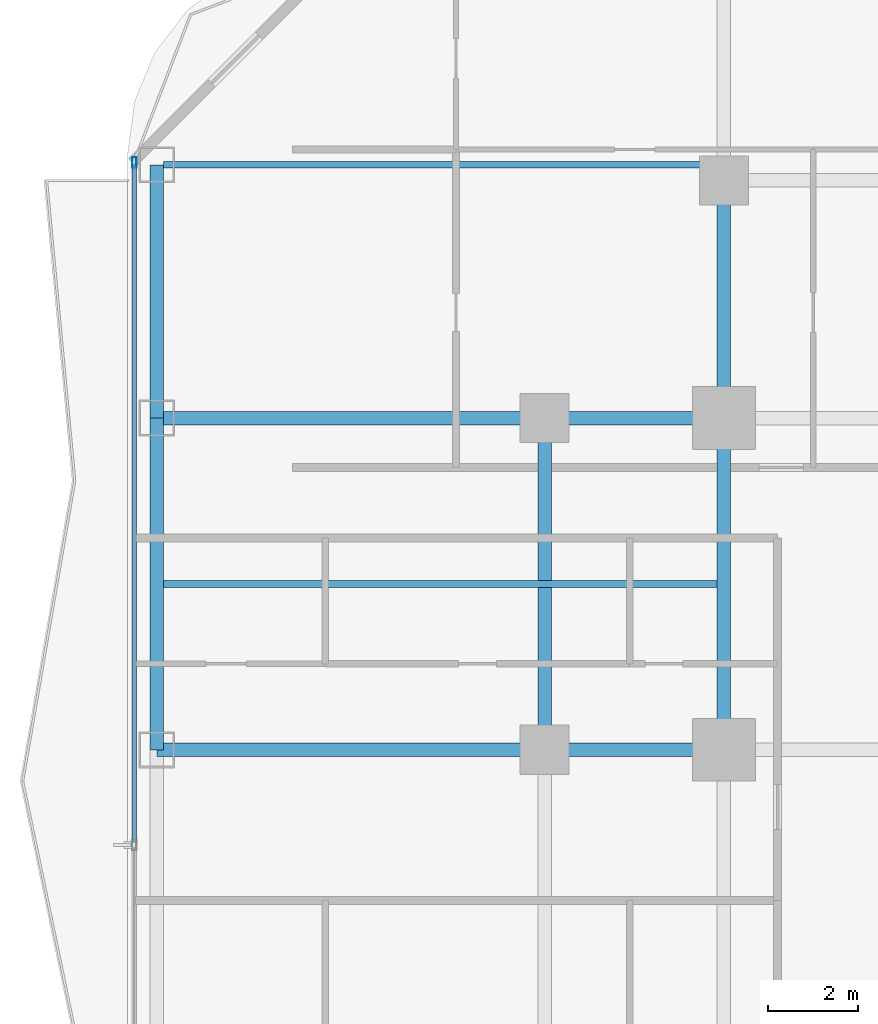
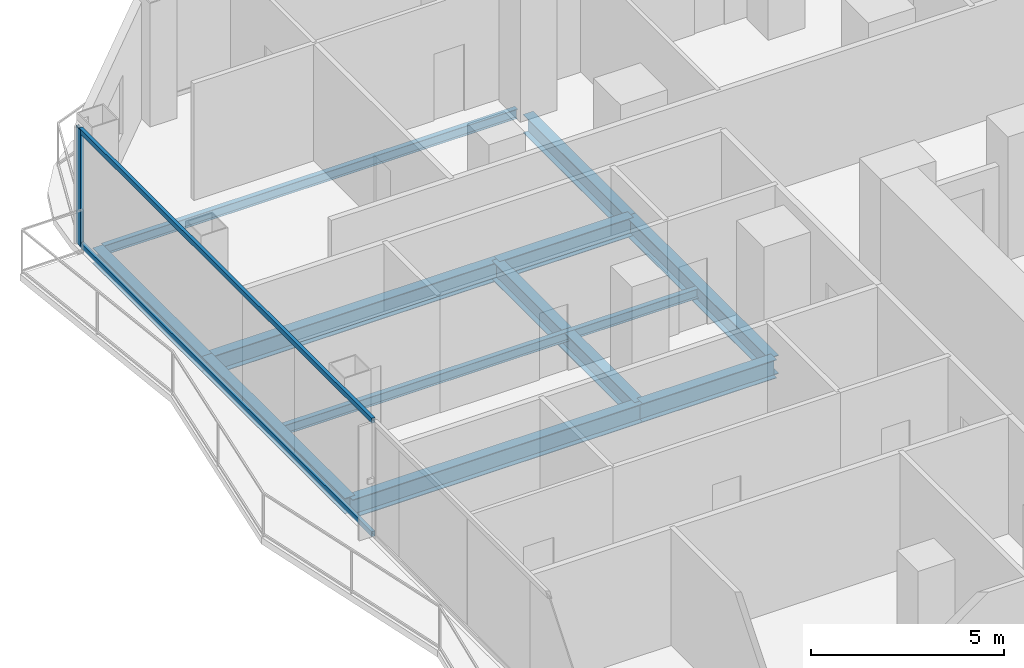
# One storey, part 13 of 30: 11 beams, 3 members, 1 element without a shape of its own.
"""IFC4 building model written with IfcOpenShell, lengths in metres."""

from ifc_helpers import new_model, si_unit, direction, frame, origin, origin_2d, place, context, subcontext, project, spatial, hollow_rectangle, i_section, extrude, material, layer, layer_set, material_profile, profile_set, type_object, element, aggregate, save


model = new_model("IFC4")

# Units and contexts
model_context = context("Model", 3, precision=1e-05, world=origin(), true_north=direction((0.0, 1.0)))
body_context = subcontext(model_context, "Body", "Model", "MODEL_VIEW")
ifc_project = project(units=[si_unit("LENGTHUNIT", "METRE"), si_unit("AREAUNIT", "SQUARE_METRE"), si_unit("VOLUMEUNIT", "CUBIC_METRE"), si_unit("PLANEANGLEUNIT", "RADIAN"), si_unit("MASSUNIT", "GRAM", prefix="KILO")], contexts=[model_context])

# Site, building, storey
site_placement = place(None, origin())
site = spatial("IfcSite", under=ifc_project, at=site_placement, CompositionType="ELEMENT")
building_placement = place(site_placement, origin())
building = spatial("IfcBuilding", under=site, at=building_placement, Name="Khorvyn Point Tower", CompositionType="ELEMENT")
storey_placement = place(building_placement, frame((0.0, 0.0, 57.89990234375)))
storey = spatial("IfcBuildingStorey", under=building, at=storey_placement, Name="L15", CompositionType="ELEMENT", Elevation=57.89990234375)

# Curtain wall, members
ifc_material_1 = material(Name="Anodised aluminium 6063-T6 and laminated Low-E glass", Category="aluminium")
ifc_layer = layer(ifc_material_1, 0.18994140625)
ifc_layer_set = layer_set([ifc_layer], Name="Stick-Built Finned Residential Curtain Wall CW-SYS-02")
curtain_wall_type = type_object("IfcCurtainWallType", Name="Stick-Built Finned Residential Curtain Wall CW-SYS-02", PredefinedType="NOTDEFINED", material=ifc_layer_set)
curtain_wall_placement = place(storey_placement, origin())
curtain_wall = element("IfcCurtainWall", 1, at=curtain_wall_placement, inside=storey, type_object=curtain_wall_type, Name="Curtain Wall", PredefinedType="NOTDEFINED")
ifc_material_2 = material(Name="Anodised aluminium 6063-T6", Category="aluminium")
ifc_material_profile_1 = material_profile(ifc_material_2, hollow_rectangle(XDim=0.10009765625, YDim=0.239990234375, WallThickness=0.0048828125, at=origin_2d()))
ifc_profile_set_1 = profile_set([ifc_material_profile_1], Name="Anodised aluminium 6063-T6 ALU-MUL-100x240")
member_type_1 = type_object("IfcMemberType", Name="Anodised Aluminium 6063-T6 Mullion ALU-MUL-100x240", PredefinedType="MULLION", material=ifc_profile_set_1)
member_1_placement = place(storey_placement, frame((-27.949951171875, 20.5, 0.0), z_axis=(0.0, 0.0, 1.0), x_axis=(-1.0, 0.0, 0.0)))
member_1 = element("IfcMember", 2, at=member_1_placement, type_object=member_type_1, Name="Transom", PredefinedType="MULLION", context=body_context, shape_type="SweptSolid", body=[
    extrude(hollow_rectangle(XDim=0.10009765625, YDim=0.239990234375, WallThickness=0.0048828125, at=origin_2d()), origin(), (0.0, 0.0, 1.0), 3.68017578125),
])
ifc_material_profile_2 = material_profile(ifc_material_2, hollow_rectangle(XDim=0.10009765625, YDim=0.159912109375, WallThickness=0.00439453125, at=origin_2d()))
ifc_profile_set_2 = profile_set([ifc_material_profile_2], Name="Anodised aluminium 6063-T6 ALU-TRN-100x160")
member_type_2 = type_object("IfcMemberType", Name="Anodised Aluminium 6063-T6 Transom ALU-TRN-100x160", PredefinedType="USERDEFINED", material=ifc_profile_set_2)
member_2_placement = place(storey_placement, frame((-27.949951171875, 5.324951171875, 0.050048828125), z_axis=(0.0, 1.0, 0.0), x_axis=(-1.0, 0.0, 0.0)))
member_2 = element("IfcMember", 3, at=member_2_placement, type_object=member_type_2, Name="Transom", ObjectType="TRANSOM", PredefinedType="USERDEFINED", context=body_context, shape_type="SweptSolid", body=[
    extrude(hollow_rectangle(XDim=0.10009765625, YDim=0.159912109375, WallThickness=0.00439453125, at=origin_2d()), origin(), (0.0, 0.0, 1.0), 15.125),
])
member_3_placement = place(storey_placement, frame((-27.949951171875, 5.324951171875, 3.630126953125), z_axis=(0.0, 1.0, 0.0), x_axis=(-1.0, 0.0, 0.0)))
member_3 = element("IfcMember", 4, at=member_3_placement, type_object=member_type_2, Name="Transom", ObjectType="TRANSOM", PredefinedType="USERDEFINED", context=body_context, shape_type="SweptSolid", body=[
    extrude(hollow_rectangle(XDim=0.10009765625, YDim=0.159912109375, WallThickness=0.00439453125, at=origin_2d()), origin(), (0.0, 0.0, 1.0), 15.125),
])
aggregate(curtain_wall, [member_1, member_2, member_3])

# Beams
ifc_material_3 = material(Name="Steel S355", Category="steel")
ifc_material_profile_3 = material_profile(ifc_material_3, i_section(OverallWidth=0.300048828125, OverallDepth=0.587890625, WebThickness=0.011962890625, FlangeThickness=0.02001953125, at=origin_2d()))
ifc_profile_set_3 = profile_set([ifc_material_profile_3], Name="Steel S355 H588x300x12x20")
beam_type_1 = type_object("IfcBeamType", Name="Steel S355 Beam H588x300x12x20", PredefinedType="BEAM", material=ifc_profile_set_3)
beam_1_placement = place(storey_placement, frame((-27.449951171875, 14.800048828125, -0.513916015625), z_axis=(1.0, 0.0, 0.0), x_axis=(0.0, 1.0, 0.0)))
element("IfcBeam", 5, at=beam_1_placement, inside=storey, type_object=beam_type_1, Name="Beam", PredefinedType="BEAM", context=body_context, shape_type="SweptSolid", body=[
    extrude(i_section(OverallWidth=0.300048828125, OverallDepth=0.587890625, WebThickness=0.011962890625, FlangeThickness=0.02001953125, at=origin_2d()), origin(), (0.0, 0.0, 1.0), 8.64990234375),
])
beam_2_placement = place(storey_placement, frame((-18.800048828125, 14.800048828125, -0.513916015625), z_axis=(1.0, 0.0, 0.0), x_axis=(0.0, 1.0, 0.0)))
element("IfcBeam", 6, at=beam_2_placement, inside=storey, type_object=beam_type_1, Name="Beam", PredefinedType="BEAM", context=body_context, shape_type="SweptSolid", body=[
    extrude(i_section(OverallWidth=0.300048828125, OverallDepth=0.587890625, WebThickness=0.011962890625, FlangeThickness=0.02001953125, at=origin_2d()), origin(), (0.0, 0.0, 1.0), 4.0),
])
beam_3_placement = place(storey_placement, frame((-27.449951171875, 7.39990234375, -0.513916015625), z_axis=(1.0, 0.0, 0.0), x_axis=(0.0, 1.0, 0.0)))
element("IfcBeam", 7, at=beam_3_placement, inside=storey, type_object=beam_type_1, Name="Beam", PredefinedType="BEAM", context=body_context, shape_type="SweptSolid", body=[
    extrude(i_section(OverallWidth=0.300048828125, OverallDepth=0.587890625, WebThickness=0.011962890625, FlangeThickness=0.02001953125, at=origin_2d()), origin(), (0.0, 0.0, 1.0), 8.64990234375),
])
beam_4_placement = place(storey_placement, frame((-18.800048828125, 7.39990234375, -0.513916015625), z_axis=(1.0, 0.0, 0.0), x_axis=(0.0, 1.0, 0.0)))
element("IfcBeam", 8, at=beam_4_placement, inside=storey, type_object=beam_type_1, Name="Beam", PredefinedType="BEAM", context=body_context, shape_type="SweptSolid", body=[
    extrude(i_section(OverallWidth=0.300048828125, OverallDepth=0.587890625, WebThickness=0.011962890625, FlangeThickness=0.02001953125, at=origin_2d()), origin(), (0.0, 0.0, 1.0), 4.0),
])
beam_5_placement = place(storey_placement, frame((-14.800048828125, 7.39990234375, -0.513916015625), z_axis=(0.0, 1.0, 0.0), x_axis=(-1.0, 0.0, 0.0)))
element("IfcBeam", 9, at=beam_5_placement, inside=storey, type_object=beam_type_1, Name="Beam", PredefinedType="BEAM", context=body_context, shape_type="SweptSolid", body=[
    extrude(i_section(OverallWidth=0.300048828125, OverallDepth=0.587890625, WebThickness=0.011962890625, FlangeThickness=0.02001953125, at=origin_2d()), origin(), (0.0, 0.0, 1.0), 7.400146484375),
])
beam_6_placement = place(storey_placement, frame((-14.800048828125, 14.800048828125, -0.513916015625), z_axis=(0.0, 1.0, 0.0), x_axis=(-1.0, 0.0, 0.0)))
element("IfcBeam", 10, at=beam_6_placement, inside=storey, type_object=beam_type_1, Name="Beam", PredefinedType="BEAM", context=body_context, shape_type="SweptSolid", body=[
    extrude(i_section(OverallWidth=0.300048828125, OverallDepth=0.587890625, WebThickness=0.011962890625, FlangeThickness=0.02001953125, at=origin_2d()), origin(), (0.0, 0.0, 1.0), 5.300048828125),
])
beam_7_placement = place(storey_placement, frame((-18.800048828125, 7.39990234375, -0.513916015625), z_axis=(0.0, 1.0, 0.0), x_axis=(-1.0, 0.0, 0.0)))
element("IfcBeam", 11, at=beam_7_placement, inside=storey, type_object=beam_type_1, Name="Beam", PredefinedType="BEAM", context=body_context, shape_type="SweptSolid", body=[
    extrude(i_section(OverallWidth=0.300048828125, OverallDepth=0.587890625, WebThickness=0.011962890625, FlangeThickness=0.02001953125, at=origin_2d()), origin(), (0.0, 0.0, 1.0), 7.400146484375),
])
ifc_material_profile_4 = material_profile(ifc_material_3, i_section(OverallWidth=0.14990234375, OverallDepth=0.300048828125, WebThickness=0.006591796875, FlangeThickness=0.009033203125, at=origin_2d()))
ifc_profile_set_4 = profile_set([ifc_material_profile_4], Name="Steel S355 H300x150x6.5x9")
beam_type_2 = type_object("IfcBeamType", Name="Steel S355 Joist H300x150x6.5x9", PredefinedType="JOIST", material=ifc_profile_set_4)
for number, where, z_axis, x_axis, name in (
    (12, (-27.300048828125, 11.10009765625, -0.369873046875), (1.0, 0.0, 0.0), (0.0, 1.0, 0.0), "Beam"),
    (13, (-27.300048828125, 20.449951171875, -0.369873046875), (1.0, 0.0, 0.0), (0.0, 1.0, 0.0), "Beam"),
):
    element("IfcBeam", number, at=place(storey_placement, frame(where, z_axis=z_axis, x_axis=x_axis)), inside=storey, type_object=beam_type_2, Name=name, PredefinedType="JOIST", context=body_context, shape_type="SweptSolid", body=[
        extrude(i_section(OverallWidth=0.14990234375, OverallDepth=0.300048828125, WebThickness=0.006591796875, FlangeThickness=0.009033203125, at=origin_2d()), origin(), (0.0, 0.0, 1.0), 12.35009765625),
    ])
ifc_material_profile_5 = material_profile(ifc_material_3, i_section(OverallWidth=0.300048828125, OverallDepth=0.488037109375, WebThickness=0.010986328125, FlangeThickness=0.01806640625, at=origin_2d()))
ifc_profile_set_5 = profile_set([ifc_material_profile_5], Name="Steel S355 H488x300x11x18")
beam_type_3 = type_object("IfcBeamType", Name="Steel S355 Spandrel H488x300x11x18", PredefinedType="SPANDREL", material=ifc_profile_set_5)
beam_8_placement = place(storey_placement, frame((-27.449951171875, 7.39990234375, -0.4638671875), z_axis=(0.0, 1.0, 0.0), x_axis=(-1.0, 0.0, 0.0)))
element("IfcBeam", 14, at=beam_8_placement, inside=storey, type_object=beam_type_3, Name="Beam", PredefinedType="SPANDREL", context=body_context, shape_type="SweptSolid", body=[
    extrude(i_section(OverallWidth=0.300048828125, OverallDepth=0.488037109375, WebThickness=0.010986328125, FlangeThickness=0.01806640625, at=origin_2d()), origin(), (0.0, 0.0, 1.0), 7.400146484375),
])
beam_9_placement = place(storey_placement, frame((-27.449951171875, 14.800048828125, -0.4638671875), z_axis=(0.0, 1.0, 0.0), x_axis=(-1.0, 0.0, 0.0)))
element("IfcBeam", 15, at=beam_9_placement, inside=storey, type_object=beam_type_3, Name="Beam", PredefinedType="SPANDREL", context=body_context, shape_type="SweptSolid", body=[
    extrude(i_section(OverallWidth=0.300048828125, OverallDepth=0.488037109375, WebThickness=0.010986328125, FlangeThickness=0.01806640625, at=origin_2d()), origin(), (0.0, 0.0, 1.0), 5.64990234375),
])

save(model, "model.ifc")
